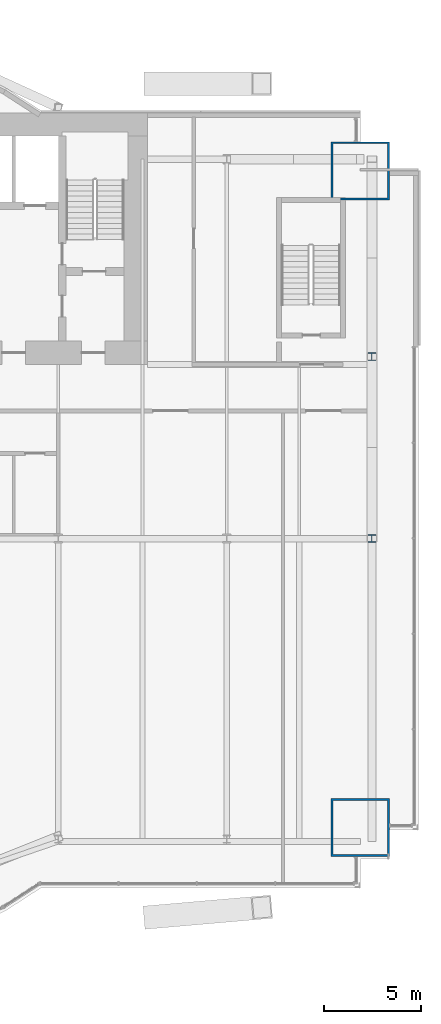
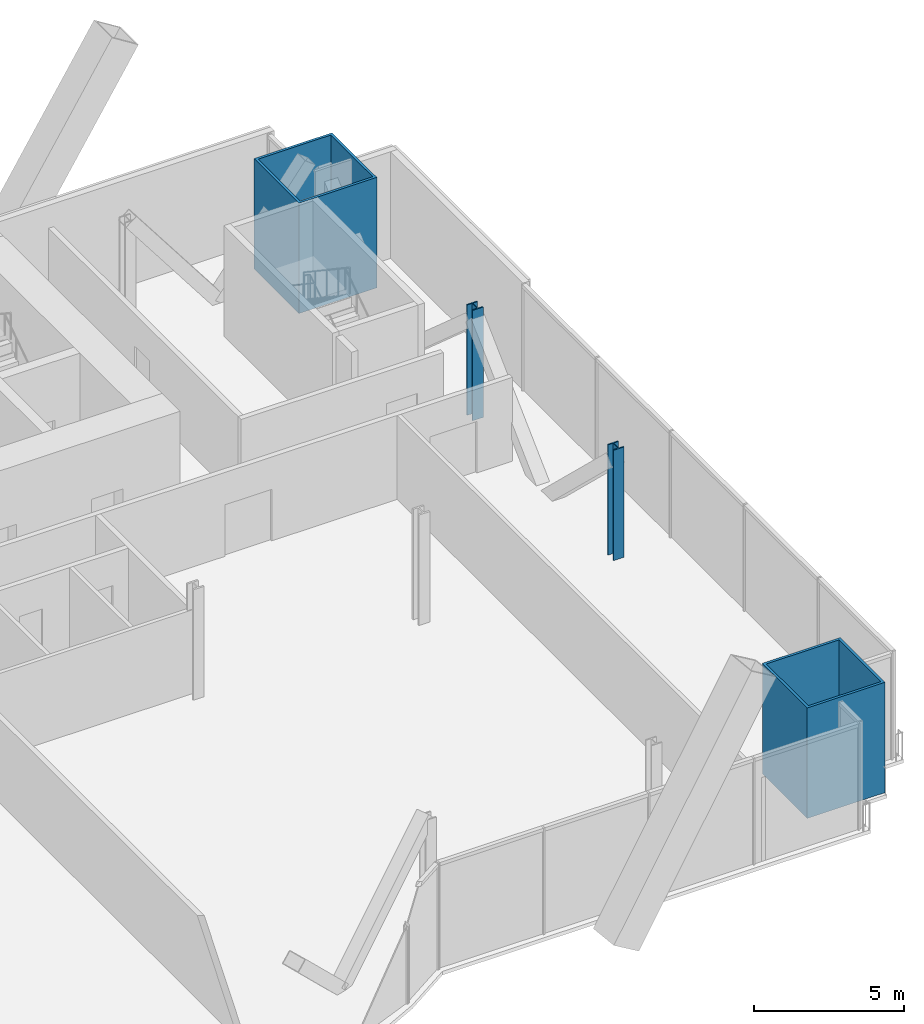
# One storey, part 3 of 22: 4 columns.
"""IFC4 building model written with IfcOpenShell, lengths in metres."""

from ifc_helpers import new_model, si_unit, direction, frame, origin, origin_2d, place, context, subcontext, project, spatial, hollow_rectangle, i_section, extrude, material, material_profile, profile_set, type_object, element, save


model = new_model("IFC4")

# Units and contexts
model_context = context("Model", 3, precision=1e-05, world=origin(), true_north=direction((0.0, 1.0)))
body_context = subcontext(model_context, "Body", "Model", "MODEL_VIEW")
ifc_project = project(units=[si_unit("LENGTHUNIT", "METRE"), si_unit("AREAUNIT", "SQUARE_METRE"), si_unit("VOLUMEUNIT", "CUBIC_METRE"), si_unit("PLANEANGLEUNIT", "RADIAN"), si_unit("MASSUNIT", "GRAM", prefix="KILO")], contexts=[model_context])

# Site, building, storey
site_placement = place(None, origin())
site = spatial("IfcSite", under=ifc_project, at=site_placement, CompositionType="ELEMENT")
building_placement = place(site_placement, origin())
building = spatial("IfcBuilding", under=site, at=building_placement, Name="Bicima Exchange Tower", CompositionType="ELEMENT")
storey_placement = place(building_placement, frame((0.0, 0.0, 71.0)))
storey = spatial("IfcBuildingStorey", under=building, at=storey_placement, Name="L14", CompositionType="ELEMENT", Elevation=71.0)

# Columns
ifc_material_1 = material(Name="Steel ASTM A572 Gr 50", Category="steel")
ifc_material_profile_1 = material_profile(ifc_material_1, hollow_rectangle(XDim=3.0, YDim=3.0, WallThickness=0.10009765625, at=origin_2d()))
ifc_profile_set_1 = profile_set([ifc_material_profile_1], Name="Steel ASTM A572 Gr 50")
column_type_1 = type_object("IfcColumnType", Name="Mega column BOX 3000x3000x100", PredefinedType="COLUMN", material=ifc_profile_set_1)
for number, where, z_axis, x_axis, name in (
    (1, (33.0, -36.926025390625, 0.0), (0.0, 0.0, 1.0), (1.0, 0.0, 0.0), "Mega column mega+33.0f"),
    (2, (33.0, -3.0, 0.0), (0.0, 0.0, 1.0), (1.0, 0.0, 0.0), "Mega column mega+33.0r"),
):
    element("IfcColumn", number, at=place(storey_placement, frame(where, z_axis=z_axis, x_axis=x_axis)), inside=storey, type_object=column_type_1, Name=name, PredefinedType="COLUMN", context=body_context, shape_type="SweptSolid", body=[
        extrude(hollow_rectangle(XDim=3.0, YDim=3.0, WallThickness=0.10009765625, at=origin_2d()), origin(), (0.0, 0.0, 1.0), 4.5),
    ])
ifc_material_2 = material(Name="Steel ASTM A992 Gr 50", Category="steel")
ifc_material_profile_2 = material_profile(ifc_material_2, i_section(OverallWidth=0.406494140625, OverallDepth=0.41650390625, WebThickness=0.030029296875, FlangeThickness=0.048095703125, at=origin_2d()))
ifc_profile_set_2 = profile_set([ifc_material_profile_2], Name="Steel ASTM A992 Gr 50")
column_type_2 = type_object("IfcColumnType", Name="Perimeter column W14x257", PredefinedType="COLUMN", material=ifc_profile_set_2)
for number, where, z_axis, x_axis, name in (
    (3, (33.60009765625, -12.60009765625, 0.0), (0.0, 0.0, 1.0), (1.0, 0.0, 0.0), "End column end+33.6e"),
    (4, (33.60009765625, -22.0, 0.0), (0.0, 0.0, 1.0), (1.0, 0.0, 0.0), "End column end+33.6e"),
):
    element("IfcColumn", number, at=place(storey_placement, frame(where, z_axis=z_axis, x_axis=x_axis)), inside=storey, type_object=column_type_2, Name=name, PredefinedType="COLUMN", context=body_context, shape_type="SweptSolid", body=[
        extrude(i_section(OverallWidth=0.406494140625, OverallDepth=0.41650390625, WebThickness=0.030029296875, FlangeThickness=0.048095703125, at=origin_2d()), origin(), (0.0, 0.0, 1.0), 4.5),
    ])

save(model, "model.ifc")
